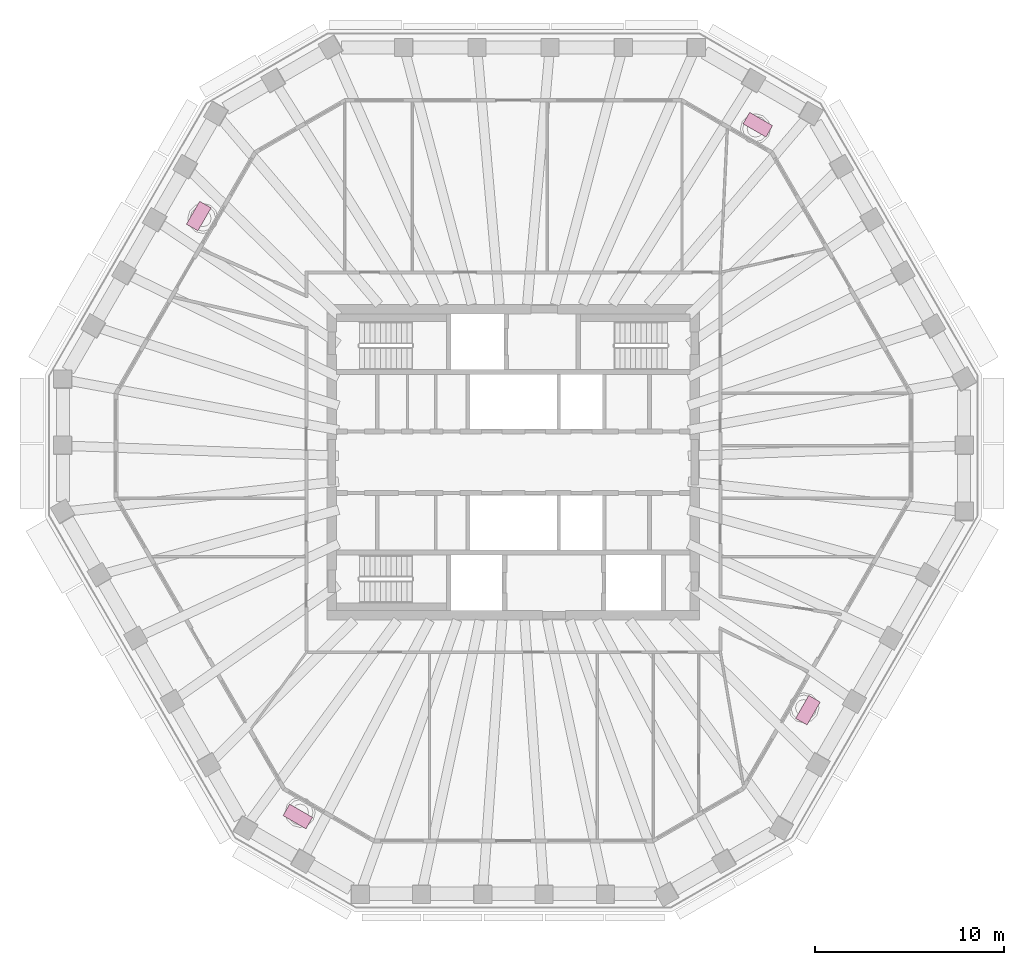
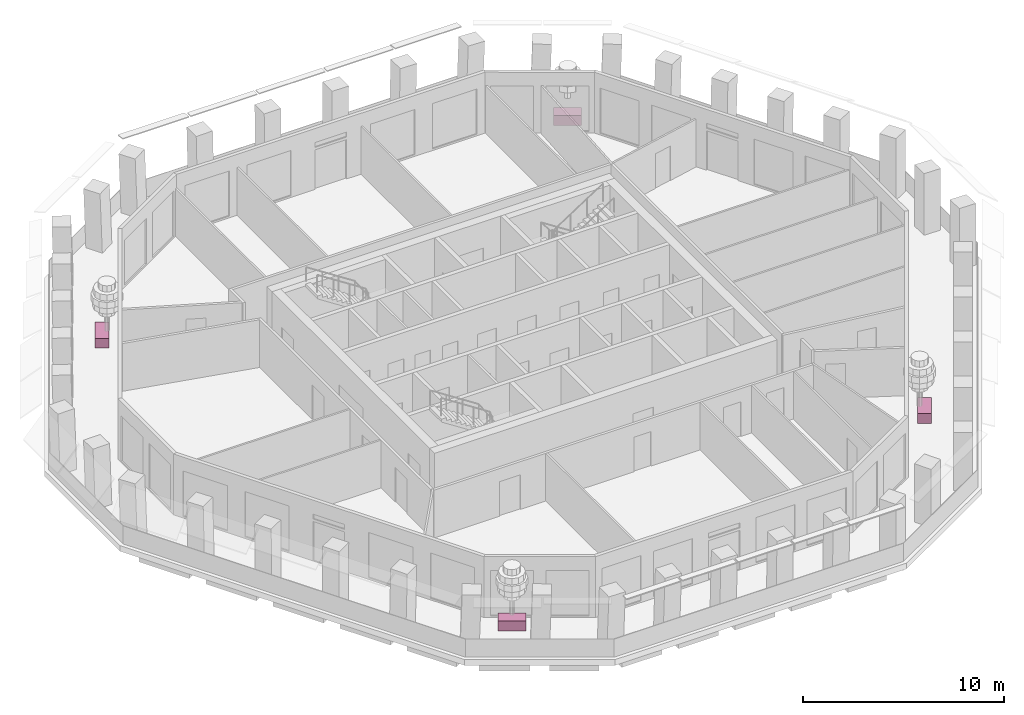
# One storey, part 11 of 12: 4 furniture elements.
"""IFC4 building model written with IfcOpenShell, lengths in metres."""

from ifc_helpers import new_model, si_unit, direction, frame, origin, origin_2d, place, context, subcontext, project, spatial, rectangle, extrude, material, type_object, element, save


model = new_model("IFC4")

# Units and contexts
model_context = context("Model", 3, precision=1e-05, world=origin(), true_north=direction((0.0, 1.0)))
body_context = subcontext(model_context, "Body", "Model", "MODEL_VIEW")
ifc_project = project(units=[si_unit("LENGTHUNIT", "METRE"), si_unit("AREAUNIT", "SQUARE_METRE"), si_unit("VOLUMEUNIT", "CUBIC_METRE"), si_unit("PLANEANGLEUNIT", "RADIAN"), si_unit("MASSUNIT", "GRAM", prefix="KILO")], contexts=[model_context])

# Site, building, storey
site_placement = place(None, origin())
site = spatial("IfcSite", under=ifc_project, at=site_placement, CompositionType="ELEMENT")
building_placement = place(site_placement, origin())
building = spatial("IfcBuilding", under=site, at=building_placement, Name="Frailejon Research Tower", CompositionType="ELEMENT")
storey_placement = place(building_placement, frame((0.0, 0.0, 291.0)))
storey = spatial("IfcBuildingStorey", under=building, at=storey_placement, Name="L64", CompositionType="ELEMENT", Elevation=291.0)

# Furniture
ifc_material = material(Name="Precast concrete C30/37 planter, terracotta", Category="masonry")
furniture_type = type_object("IfcFurnitureType", Name="Loggia planter 1400x700", AssemblyPlace="NOTDEFINED", PredefinedType="USERDEFINED", material=ifc_material)
for number, where, z_axis, x_axis, name in (
    (1, (12.93115234375, 17.85888671875, 0.0), (0.0, 0.0, 1.0), (-0.866025403784, 0.5, 0.0), "Planter L64"),
    (2, (-16.646240234375, 13.027587890625, 0.0), (0.0, 0.0, 1.0), (-0.5, -0.866025403784, 0.0), "Planter L64"),
    (3, (-11.406982421875, -18.739013671875, 0.0), (0.0, 0.0, 1.0), (0.866025403784, -0.5, 0.0), "Planter L64"),
    (4, (15.57958984375, -13.115478515625, 0.0), (0.0, 0.0, 1.0), (0.5, 0.866025403784, 0.0), "Planter L64"),
):
    element("IfcFurniture", number, at=place(storey_placement, frame(where, z_axis=z_axis, x_axis=x_axis)), inside=storey, type_object=furniture_type, Name=name, ObjectType="PLANTER", PredefinedType="USERDEFINED", context=body_context, shape_type="SweptSolid", body=[
        extrude(rectangle(XDim=1.39990234375, YDim=0.699951171875, at=origin_2d()), origin(), (0.0, 0.0, 1.0), 0.60009765625),
    ])

save(model, "model.ifc")
